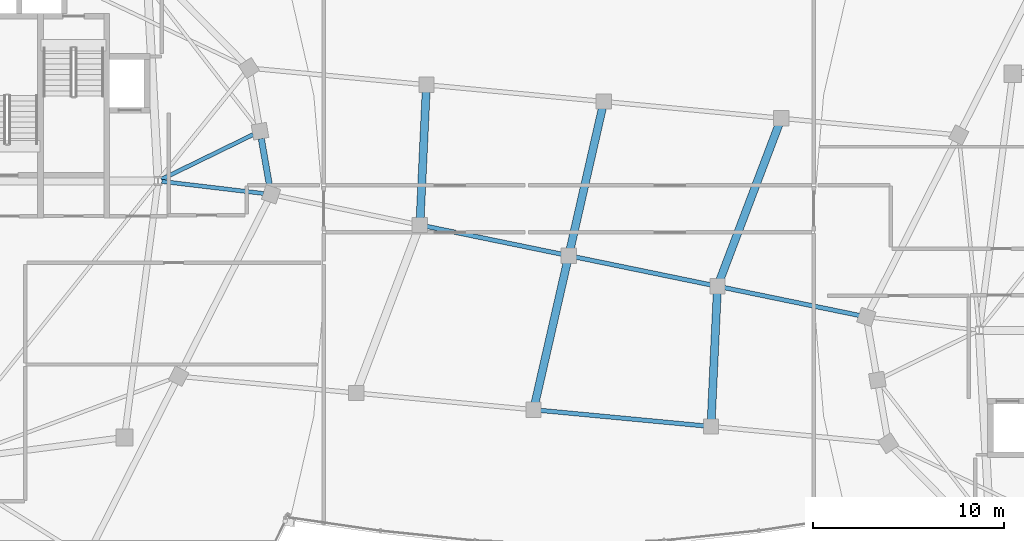
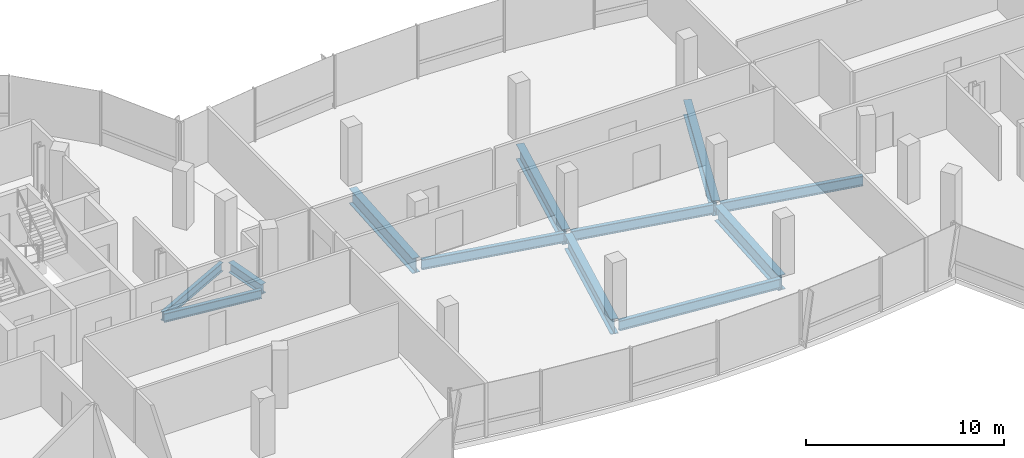
# One storey, part 5 of 26: 12 beams.
"""IFC4 building model written with IfcOpenShell, lengths in metres."""

import ifcopenshell
import ifcopenshell.guid

model = None  # the IFC model being written
_history = None  # IfcOwnerHistory: only IFC2X3 demands one
_inside = {}  # id of a spatial element -> (the spatial element, [elements in it])
_under = {}  # id of a project, library or spatial element -> (it, [spatial elements below it])
_declared = {}  # id of a project -> (the project, [libraries it declares])
_typed = {}  # id of a type object -> (the type object, [elements of that type])
_made_of = {}  # id of a material, layer set ... -> (it, [elements and type objects made of it])


def new_model(schema):
    """Start an empty IFC model of exactly this schema.

    Asked for "IFC4X3", IfcOpenShell would pick the latest addendum, in which some entities
    have other attributes; the version numbers below select the first issue.
    IFC2X3 requires an IfcOwnerHistory on every rooted entity: one is made here for all.
    """
    global model, _history
    if schema == "IFC4X3":
        model = ifcopenshell.file(schema_version=(4, 3, 0, 0))
    else:
        model = ifcopenshell.file(schema=schema)
    _inside.clear()
    _under.clear()
    _declared.clear()
    _typed.clear()
    _made_of.clear()
    _history = None
    if model.schema == "IFC2X3":
        org = make("IfcOrganization", Name="unknown")
        user = make(
            "IfcPersonAndOrganization",
            ThePerson=make("IfcPerson", FamilyName="unknown"),
            TheOrganization=org,
        )
        app = make(
            "IfcApplication",
            ApplicationDeveloper=org,
            Version="unknown",
            ApplicationFullName="unknown",
            ApplicationIdentifier="unknown",
        )
        _history = make(
            "IfcOwnerHistory",
            OwningUser=user,
            OwningApplication=app,
            ChangeAction="ADDED",
            CreationDate=0,
        )
    return model


def make(cls, **values):
    """One entity of the class cls with the attributes given. An attribute that is None is left unset."""
    return model.create_entity(
        cls, **{name: value for name, value in values.items() if value is not None}
    )


def rooted(cls, **values):
    """An entity with a GlobalId (a new one), such as an element, a storey or a relation."""
    return make(cls, GlobalId=ifcopenshell.guid.new(), OwnerHistory=_history, **values)


def si_unit(unit_type, name, prefix=None):
    """IfcSIUnit, for example si_unit("LENGTHUNIT", "METRE", prefix="MILLI")."""
    return make("IfcSIUnit", UnitType=unit_type, Prefix=prefix, Name=name)


def assignment(units):
    """IfcUnitAssignment: the units of a project."""
    return None if units is None else make("IfcUnitAssignment", Units=units)


def point(xyz):
    """IfcCartesianPoint."""
    return None if xyz is None else make("IfcCartesianPoint", Coordinates=xyz)


def direction(xyz):
    """IfcDirection."""
    return None if xyz is None else make("IfcDirection", DirectionRatios=xyz)


def frame(location, z_axis=None, x_axis=None):
    """IfcAxis2Placement3D, a coordinate frame: its origin and axes. An axis left out is left unset."""
    return make(
        "IfcAxis2Placement3D",
        Location=point(location),
        Axis=direction(z_axis),
        RefDirection=direction(x_axis),
    )


def frame_2d(location, x_axis=None):
    """IfcAxis2Placement2D, a coordinate frame in the plane: its origin and x axis."""
    return make(
        "IfcAxis2Placement2D", Location=point(location), RefDirection=direction(x_axis)
    )


def origin():
    """The frame at (0, 0, 0) with its axes left unset."""
    return frame((0.0, 0.0, 0.0))


def origin_2d():
    """The frame at (0, 0) in the plane with its x axis left unset."""
    return frame_2d((0.0, 0.0))


def place(relative_to, where):
    """IfcLocalPlacement: puts the frame where relative to a parent placement (None: the world)."""
    return make(
        "IfcLocalPlacement", PlacementRelTo=relative_to, RelativePlacement=where
    )


def context(
    kind, dimensions, precision=None, world=None, true_north=None, identifier=None
):
    """IfcGeometricRepresentationContext, for example the 3D "Model" context."""
    return make(
        "IfcGeometricRepresentationContext",
        ContextIdentifier=identifier,
        ContextType=kind,
        CoordinateSpaceDimension=dimensions,
        Precision=precision,
        WorldCoordinateSystem=world,
        TrueNorth=true_north,
    )


def subcontext(parent, identifier, kind, view, scale=None):
    """IfcGeometricRepresentationSubContext, for example "Body" below "Model"."""
    return make(
        "IfcGeometricRepresentationSubContext",
        ContextIdentifier=identifier,
        ContextType=kind,
        ParentContext=parent,
        TargetScale=scale,
        TargetView=view,
    )


def project(units=None, contexts=None):
    """IfcProject with its units and contexts."""
    return rooted(
        "IfcProject",
        Name="project",
        RepresentationContexts=contexts,
        UnitsInContext=assignment(units),
    )


def spatial(cls, under=None, at=None, **own):
    """A site, building, storey or space (cls), placed at a placement, below another one or the project."""
    s = rooted(cls, ObjectPlacement=at, **own)
    if under is not None:
        _under.setdefault(under.id(), (under, []))[1].append(s)
    return s


def profile(cls, at=None, kind="AREA", **sizes):
    """A parametric profile (cls). Its sizes go by their IFC names, for example OverallWidth=200.0."""
    return make(cls, ProfileType=kind, Position=at, **sizes)


def i_section(**sizes):
    """IfcIShapeProfileDef."""
    return profile("IfcIShapeProfileDef", **sizes)


def extrude(swept, where, along, depth):
    """IfcExtrudedAreaSolid: the profile swept, set in the frame where, extruded along a direction by depth."""
    return make(
        "IfcExtrudedAreaSolid",
        SweptArea=swept,
        Position=where,
        ExtrudedDirection=direction(along),
        Depth=depth,
    )


def shape(context_of_items, identifier, shape_type, items):
    """IfcShapeRepresentation: the items that make up one representation, for example the "Body"."""
    return make(
        "IfcShapeRepresentation",
        ContextOfItems=context_of_items,
        RepresentationIdentifier=identifier,
        RepresentationType=shape_type,
        Items=items,
    )


def material(Name=None, Category=None):
    """IfcMaterial."""
    return make("IfcMaterial", Name=Name, Category=Category)


def material_profile(
    of_material, cross_section, Name=None, Category=None, Priority=None
):
    """IfcMaterialProfile: a cross section and its material."""
    return make(
        "IfcMaterialProfile",
        Name=Name,
        Material=of_material,
        Profile=cross_section,
        Priority=Priority,
        Category=Category,
    )


def profile_set(profiles, Name=None, composite=None):
    """IfcMaterialProfileSet."""
    return make(
        "IfcMaterialProfileSet",
        Name=Name,
        MaterialProfiles=profiles,
        CompositeProfile=composite,
    )


def made_of(thing, what):
    """Note that an element or type object is made of a material, layer set ...; save() writes the relation."""
    if what is not None:
        _made_of.setdefault(what.id(), (what, []))[1].append(thing)
    return thing


def type_object(cls, material=None, **own):
    """A type object (cls), such as IfcWallType, which elements share."""
    return made_of(rooted(cls, **own), material)


def element(
    cls,
    number,
    at=None,
    inside=None,
    cuts=None,
    type_object=None,
    material=None,
    context=None,
    identifier="Body",
    shape_type=None,
    held_by="IfcProductDefinitionShape",
    body=None,
    shapes=None,
    **own,
):
    """One element of the class cls, such as IfcWall. Its Tag is "e" and its number.

    at: its placement. inside: the storey or other place that contains it. cuts: it is an
    opening in that element (IfcRelVoidsElement). A single representation is given by context,
    identifier, shape_type and body (its items); several are given by shapes. held_by: the class
    of the entity that holds the representations. save() writes the other relations.
    """
    e = rooted(cls, Tag="e%d" % number, ObjectPlacement=at, **own)
    if body is not None:
        shapes = [shape(context, identifier, shape_type, body)]
    if shapes is not None:
        e.Representation = make(held_by, Representations=shapes)
    if inside is not None:
        _inside.setdefault(inside.id(), (inside, []))[1].append(e)
    if cuts is not None:
        rooted(
            "IfcRelVoidsElement", RelatingBuildingElement=cuts, RelatedOpeningElement=e
        )
    if type_object is not None:
        _typed.setdefault(type_object.id(), (type_object, []))[1].append(e)
    return made_of(e, material)


def aggregate(whole, parts):
    """IfcRelAggregates: a whole, such as a stair, and the parts it consists of."""
    return rooted("IfcRelAggregates", RelatingObject=whole, RelatedObjects=parts)


def save(model, path):
    """Write the relations noted so far, then the file.

    IfcRelAggregates (storeys below a building ...), IfcRelContainedInSpatialStructure (elements
    in a storey), IfcRelDefinesByType, IfcRelAssociatesMaterial and IfcRelDeclares: one each for
    every whole, place, type object, material and project.
    """
    for whole, parts in _under.values():
        aggregate(whole, parts)
    for where, things in _inside.values():
        rooted(
            "IfcRelContainedInSpatialStructure",
            RelatedElements=things,
            RelatingStructure=where,
        )
    for kind, things in _typed.values():
        rooted("IfcRelDefinesByType", RelatedObjects=things, RelatingType=kind)
    for what, things in _made_of.values():
        rooted("IfcRelAssociatesMaterial", RelatedObjects=things, RelatingMaterial=what)
    for by, libraries in _declared.values():
        rooted("IfcRelDeclares", RelatingContext=by, RelatedDefinitions=libraries)
    model.write(path)


model = new_model("IFC4")

# Units and contexts
model_context = context("Model", 3, precision=1e-05, world=origin(), true_north=direction((0.0, 1.0)))
body_context = subcontext(model_context, "Body", "Model", "MODEL_VIEW")
ifc_project = project(units=[si_unit("LENGTHUNIT", "METRE"), si_unit("AREAUNIT", "SQUARE_METRE"), si_unit("VOLUMEUNIT", "CUBIC_METRE"), si_unit("PLANEANGLEUNIT", "RADIAN"), si_unit("MASSUNIT", "GRAM", prefix="KILO"), si_unit("THERMODYNAMICTEMPERATUREUNIT", "KELVIN"), si_unit("POWERUNIT", "WATT")], contexts=[model_context])

# Site, building, storey
site_placement = place(None, origin())
site = spatial("IfcSite", under=ifc_project, at=site_placement, CompositionType="ELEMENT")
building_placement = place(site_placement, origin())
building = spatial("IfcBuilding", under=site, at=building_placement, Name="Cundina Bronze Exchange", CompositionType="ELEMENT")
storey_placement = place(building_placement, frame((0.0, 0.0, 261.199951171875)))
storey = spatial("IfcBuildingStorey", under=building, at=storey_placement, Name="L69", CompositionType="ELEMENT", Elevation=261.199951171875)

# Beams
ifc_material = material(Name="Steel ASTM A992 Grade 50", Category="steel")
ifc_material_profile_1 = material_profile(ifc_material, i_section(OverallWidth=0.2119140625, OverallDepth=0.5439453125, WebThickness=0.01318359375, FlangeThickness=0.021240234375, FilletRadius=0.013916015625, at=origin_2d()), Name="W21X83", Category="steel")
ifc_profile_set_1 = profile_set([ifc_material_profile_1], Name="Steel ASTM A992 Grade 50")
beam_type_1 = type_object("IfcBeamType", Name="BM-FLR-W21A", PredefinedType="BEAM", material=ifc_profile_set_1)
beam_1_placement = place(storey_placement, frame((-21.25537109375, 3.876953125, -0.531982421875), z_axis=(0.993031892142, -0.117845921393, 0.0), x_axis=(0.117845921393, 0.993031892142, 0.0)))
element("IfcBeam", 1, at=beam_1_placement, inside=storey, type_object=beam_type_1, Name="L69 Leg W Radial Floor Beam 00", PredefinedType="BEAM", context=body_context, shape_type="SweptSolid", body=[
    extrude(i_section(OverallWidth=0.2119140625, OverallDepth=0.5439453125, WebThickness=0.01318359375, FlangeThickness=0.021240234375, FilletRadius=0.013916015625, at=origin_2d()), origin(), (0.0, 0.0, 1.0), 5.357421875),
])
beam_2_placement = place(storey_placement, frame((-21.27392578125, 3.986083984375, -0.531982421875), z_axis=(0.898610260891, 0.438747762412, 0.0), x_axis=(-0.438747762412, 0.898610260891, 0.0)))
element("IfcBeam", 2, at=beam_2_placement, inside=storey, type_object=beam_type_1, Name="L69 Leg W Radial Floor Beam 01", PredefinedType="BEAM", context=body_context, shape_type="SweptSolid", body=[
    extrude(i_section(OverallWidth=0.2119140625, OverallDepth=0.5439453125, WebThickness=0.01318359375, FlangeThickness=0.021240234375, FilletRadius=0.013916015625, at=origin_2d()), origin(), (0.0, 0.0, 1.0), 5.341796875),
])
ifc_material_profile_2 = material_profile(ifc_material, i_section(OverallWidth=0.22998046875, OverallDepth=0.616943359375, WebThickness=0.01318359375, FlangeThickness=0.022216796875, FilletRadius=0.013916015625, at=origin_2d()), Name="W24X94", Category="steel")
ifc_profile_set_2 = profile_set([ifc_material_profile_2], Name="Steel ASTM A992 Grade 50")
beam_type_2 = type_object("IfcBeamType", Name="BM-FLR-W24B", PredefinedType="BEAM", material=ifc_profile_set_2)
beam_3_placement = place(storey_placement, frame((-1.658203125, -8.06689453125, -0.62841796875), z_axis=(0.995572136276, -0.094000646124, 0.0), x_axis=(0.094000646124, 0.995572136276, 0.0)))
element("IfcBeam", 3, at=beam_3_placement, inside=storey, type_object=beam_type_2, Name="L69 Sky-Gate Longitudinal Girder Y1-P3", PredefinedType="BEAM", context=body_context, shape_type="SweptSolid", body=[
    extrude(i_section(OverallWidth=0.22998046875, OverallDepth=0.616943359375, WebThickness=0.01318359375, FlangeThickness=0.022216796875, FilletRadius=0.013916015625, at=origin_2d()), origin(), (0.0, 0.0, 1.0), 8.949951171875),
])
for number, where, z_axis, x_axis, name in (
    (4, (-7.5986328125, 1.563720703125, -0.62841796875), (0.979477625294, -0.201552924934, 0.0), (0.201552924934, 0.979477625294, 0.0), "L69 Sky-Gate Longitudinal Girder Y2-P2"),
    (5, (0.17626953125, -0.036376953125, -0.62841796875), (0.979477625294, -0.201552924934, 0.0), (0.201552924934, 0.979477625294, 0.0), "L69 Sky-Gate Longitudinal Girder Y2-P3"),
    (6, (7.951416015625, -1.63623046875, -0.62841796875), (0.979471264571, -0.20158383338, 0.0), (0.20158383338, 0.979471264571, 0.0), "L69 Sky-Gate Longitudinal Girder Y2-P4"),
):
    element("IfcBeam", number, at=place(storey_placement, frame(where, z_axis=z_axis, x_axis=x_axis)), inside=storey, type_object=beam_type_2, Name=name, PredefinedType="BEAM", context=body_context, shape_type="SweptSolid", body=[
        extrude(i_section(OverallWidth=0.22998046875, OverallDepth=0.616943359375, WebThickness=0.01318359375, FlangeThickness=0.022216796875, FilletRadius=0.013916015625, at=origin_2d()), origin(), (0.0, 0.0, 1.0), 7.577880859375),
    ])
ifc_material_profile_3 = material_profile(ifc_material, i_section(OverallWidth=0.324951171875, OverallDepth=0.615966796875, WebThickness=0.013916015625, FlangeThickness=0.021484375, FilletRadius=0.01611328125, at=origin_2d()), Name="W24X117", Category="steel")
ifc_profile_set_3 = profile_set([ifc_material_profile_3], Name="Steel ASTM A992 Grade 50")
beam_type_3 = type_object("IfcBeamType", Name="BM-RING-W24", PredefinedType="USERDEFINED", material=ifc_profile_set_3)
beam_4_placement = place(storey_placement, frame((-15.61669921875, 3.582275390625, -0.56787109375), z_axis=(-0.171593362587, 0.985167862811, 0.0), x_axis=(-0.985167862811, -0.171593362587, 0.0)))
element("IfcBeam", 7, at=beam_4_placement, inside=storey, type_object=beam_type_3, Name="L69 W Perimeter Ring Girder 00", ObjectType="GIRDER", PredefinedType="USERDEFINED", context=body_context, shape_type="SweptSolid", body=[
    extrude(i_section(OverallWidth=0.324951171875, OverallDepth=0.615966796875, WebThickness=0.013916015625, FlangeThickness=0.021484375, FilletRadius=0.01611328125, at=origin_2d()), origin(), (0.0, 0.0, 1.0), 2.57373046875),
])
ifc_material_profile_4 = material_profile(ifc_material, i_section(OverallWidth=0.41796875, OverallDepth=0.927001953125, WebThickness=0.019287109375, FlangeThickness=0.031982421875, FilletRadius=0.02392578125, at=origin_2d()), Name="W36X231", Category="steel")
ifc_profile_set_4 = profile_set([ifc_material_profile_4], Name="Steel ASTM A992 Grade 50")
beam_type_4 = type_object("IfcBeamType", Name="BM-WRN-W36B", PredefinedType="USERDEFINED", material=ifc_profile_set_4)
beam_5_placement = place(storey_placement, frame((-7.7666015625, 1.77978515625, -0.783447265625), z_axis=(0.046881448177, 0.998900460415, 0.0), x_axis=(-0.998900460415, 0.046881448177, 0.0)))
element("IfcBeam", 8, at=beam_5_placement, inside=storey, type_object=beam_type_4, Name="L69 Sky-Gate Transverse Girder X1-N", ObjectType="GIRDER", PredefinedType="USERDEFINED", context=body_context, shape_type="SweptSolid", body=[
    extrude(i_section(OverallWidth=0.41796875, OverallDepth=0.927001953125, WebThickness=0.019287109375, FlangeThickness=0.031982421875, FilletRadius=0.02392578125, at=origin_2d()), origin(), (0.0, 0.0, 1.0), 6.972900390625),
])
for number, where, z_axis, x_axis, name in (
    (9, (-1.79736328125, -7.87451171875, -0.783447265625), (0.222530984599, 0.974925618134, 0.0), (-0.974925618134, 0.222530984599, 0.0), "L69 Sky-Gate Transverse Girder X2-S"),
    (10, (0.0400390625, 0.175537109375, -0.783447265625), (0.222530984599, 0.974925618134, 0.0), (-0.974925618134, 0.222530984599, 0.0), "L69 Sky-Gate Transverse Girder X2-N"),
):
    element("IfcBeam", number, at=place(storey_placement, frame(where, z_axis=z_axis, x_axis=x_axis)), inside=storey, type_object=beam_type_4, Name=name, ObjectType="GIRDER", PredefinedType="USERDEFINED", context=body_context, shape_type="SweptSolid", body=[
        extrude(i_section(OverallWidth=0.41796875, OverallDepth=0.927001953125, WebThickness=0.019287109375, FlangeThickness=0.031982421875, FilletRadius=0.02392578125, at=origin_2d()), origin(), (0.0, 0.0, 1.0), 7.89697265625),
    ])
beam_6_placement = place(storey_placement, frame((7.439697265625, -8.7451171875, -0.783447265625), z_axis=(0.046881448177, 0.998900460415, 0.0), x_axis=(-0.998900460415, 0.046881448177, 0.0)))
element("IfcBeam", 11, at=beam_6_placement, inside=storey, type_object=beam_type_4, Name="L69 Sky-Gate Transverse Girder X3-S", ObjectType="GIRDER", PredefinedType="USERDEFINED", context=body_context, shape_type="SweptSolid", body=[
    extrude(i_section(OverallWidth=0.41796875, OverallDepth=0.927001953125, WebThickness=0.019287109375, FlangeThickness=0.031982421875, FilletRadius=0.02392578125, at=origin_2d()), origin(), (0.0, 0.0, 1.0), 6.972900390625),
])
beam_7_placement = place(storey_placement, frame((7.8388671875, -1.431640625, -0.783447265625), z_axis=(0.354935532146, 0.934890778658, 0.0), x_axis=(-0.934890778658, 0.354935532146, 0.0)))
element("IfcBeam", 12, at=beam_7_placement, inside=storey, type_object=beam_type_4, Name="L69 Sky-Gate Transverse Girder X3-N", ObjectType="GIRDER", PredefinedType="USERDEFINED", context=body_context, shape_type="SweptSolid", body=[
    extrude(i_section(OverallWidth=0.41796875, OverallDepth=0.927001953125, WebThickness=0.019287109375, FlangeThickness=0.031982421875, FilletRadius=0.02392578125, at=origin_2d()), origin(), (0.0, 0.0, 1.0), 9.02587890625),
])

save(model, "model.ifc")
